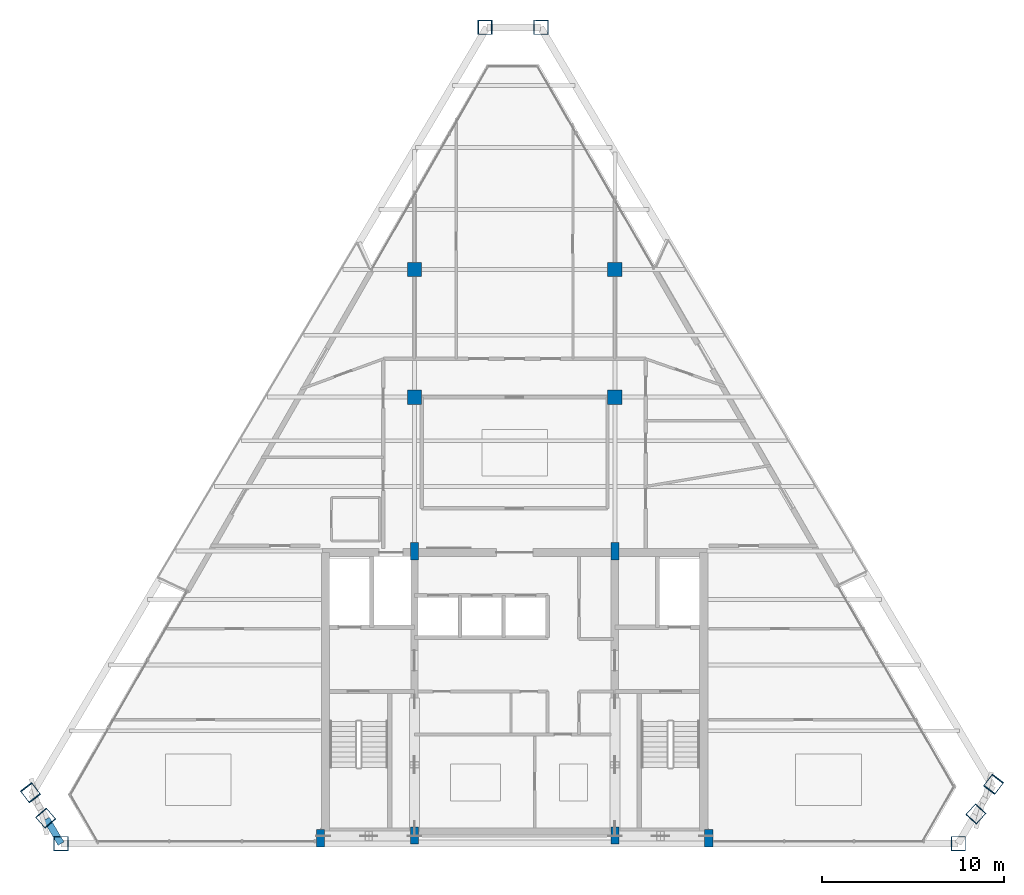
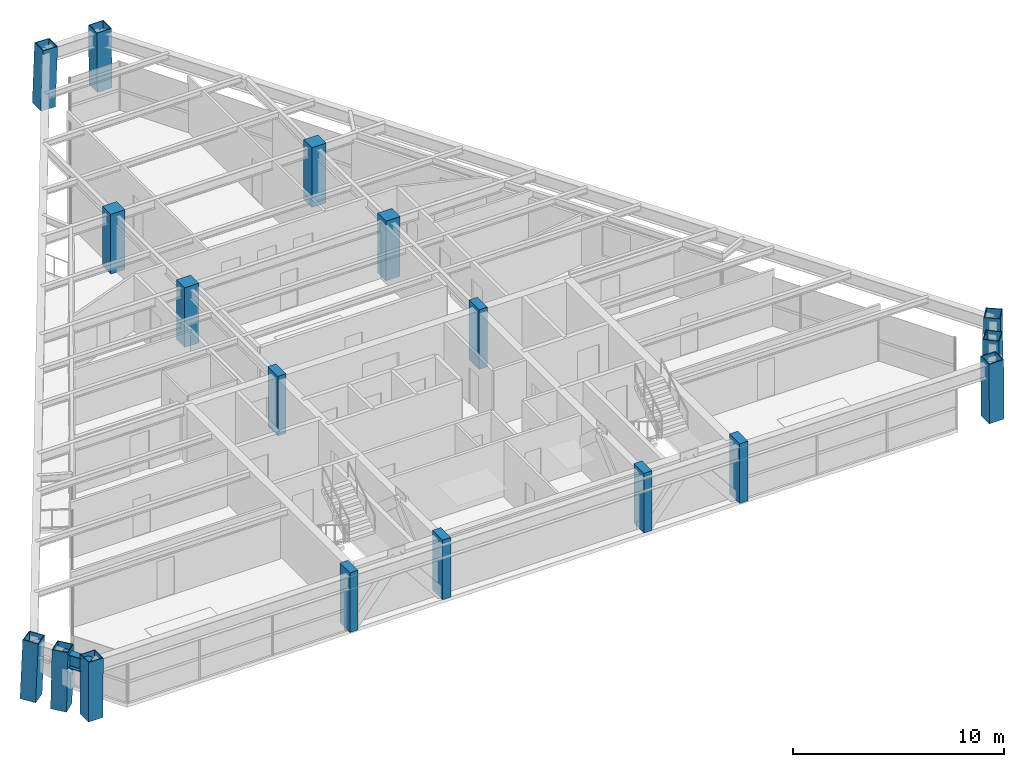
# One storey, part 1 of 13: 18 columns, 1 beam.
"""IFC4 building model written with IfcOpenShell, lengths in metres."""

from ifc_helpers import new_model, si_unit, direction, frame, origin, origin_2d, place, context, subcontext, project, spatial, rectangle, hollow_rectangle, i_section, extrude, source, transform, mapped, material, material_profile, profile_set, type_object, element, save


model = new_model("IFC4")

# Units and contexts
model_context = context("Model", 3, precision=1e-05, world=origin(), true_north=direction((0.0, 1.0)))
body_context = subcontext(model_context, "Body", "Model", "MODEL_VIEW")
ifc_project = project(units=[si_unit("LENGTHUNIT", "METRE"), si_unit("AREAUNIT", "SQUARE_METRE"), si_unit("VOLUMEUNIT", "CUBIC_METRE"), si_unit("PLANEANGLEUNIT", "RADIAN"), si_unit("MASSUNIT", "GRAM", prefix="KILO")], contexts=[model_context])

# Site, building, storey
site_placement = place(None, origin())
site = spatial("IfcSite", under=ifc_project, at=site_placement, CompositionType="ELEMENT")
building_placement = place(site_placement, origin())
building = spatial("IfcBuilding", under=site, at=building_placement, Name="Varnakhor Terracotta Tower", CompositionType="ELEMENT")
storey_placement = place(building_placement, frame((0.0, 0.0, 293.699951171875)))
storey = spatial("IfcBuildingStorey", under=building, at=storey_placement, Name="L77", CompositionType="ELEMENT", Elevation=293.699951171875)

# Columns
ifc_material_1 = material(Name="Concrete C50/60", Category="concrete")
ifc_material_profile_1 = material_profile(ifc_material_1, rectangle(XDim=0.449951171875, YDim=0.949951171875, at=origin_2d()), Name="RC PILASTER 950x450")
ifc_profile_set_1 = profile_set([ifc_material_profile_1], Name="Concrete C50/60")
column_type_1 = type_object("IfcColumnType", Name="COL-PIL-950x450", PredefinedType="PILASTER", material=ifc_profile_set_1)
shared_shape_1 = source(origin(), body_context, "Body", "SweptSolid", [
    extrude(rectangle(XDim=0.449951171875, YDim=0.949951171875, at=origin_2d()), origin(), (0.0, 0.0, 1.0), 3.449951171875),
])
for number, where, z_axis, x_axis, name in (
    (1, (-10.64990234375, 0.300048828125, 0.0), (0.0, 0.0, 1.0), (1.0, 0.0, 0.0), "L77 Core Pilaster CP1"),
    (2, (-5.5, 0.449951171875, 0.0), (0.0, 0.0, 1.0), (1.0, 0.0, 0.0), "L77 Core Pilaster CP2"),
    (3, (5.5, 0.449951171875, 0.0), (0.0, 0.0, 1.0), (1.0, 0.0, 0.0), "L77 Core Pilaster CP3"),
    (4, (10.64990234375, 0.300048828125, 0.0), (0.0, 0.0, 1.0), (1.0, 0.0, 0.0), "L77 Core Pilaster CP4"),
    (5, (-5.5, 16.050048828125, 0.0), (0.0, 0.0, 1.0), (1.0, 0.0, 0.0), "L77 Core Pilaster CP5"),
    (6, (5.5, 16.050048828125, 0.0), (0.0, 0.0, 1.0), (1.0, 0.0, 0.0), "L77 Core Pilaster CP6"),
):
    element("IfcColumn", number, at=place(storey_placement, frame(where, z_axis=z_axis, x_axis=x_axis)), inside=storey, type_object=column_type_1, Name=name, PredefinedType="PILASTER", context=body_context, shape_type="MappedRepresentation", body=[
        mapped(shared_shape_1, transform((0.0, 0.0, 0.0), scale=1.0)),
    ])
ifc_material_profile_2 = material_profile(ifc_material_1, rectangle(XDim=0.780029296875, YDim=0.780029296875, at=origin_2d()), Name="RC 780x780")
ifc_profile_set_2 = profile_set([ifc_material_profile_2], Name="Concrete C50/60")
column_type_2 = type_object("IfcColumnType", Name="COL-RC-780", PredefinedType="COLUMN", material=ifc_profile_set_2)
shared_shape_2 = source(origin(), body_context, "Body", "SweptSolid", [
    extrude(rectangle(XDim=0.780029296875, YDim=0.780029296875, at=origin_2d()), origin(), (0.0, 0.0, 1.0), 3.449951171875),
])
for number, where, z_axis, x_axis, name in (
    (7, (-5.5, 24.5, 0.0), (0.0, 0.0, 1.0), (1.0, 0.0, 0.0), "L77 Interior Tower Column IC1"),
    (8, (5.5, 24.5, 0.0), (0.0, 0.0, 1.0), (1.0, 0.0, 0.0), "L77 Interior Tower Column IC2"),
    (9, (-5.5, 31.5, 0.0), (0.0, 0.0, 1.0), (1.0, 0.0, 0.0), "L77 Interior Tower Column IC3"),
    (10, (5.5, 31.5, 0.0), (0.0, 0.0, 1.0), (1.0, 0.0, 0.0), "L77 Interior Tower Column IC4"),
):
    element("IfcColumn", number, at=place(storey_placement, frame(where, z_axis=z_axis, x_axis=x_axis)), inside=storey, type_object=column_type_2, Name=name, PredefinedType="COLUMN", context=body_context, shape_type="MappedRepresentation", body=[
        mapped(shared_shape_2, transform((0.0, 0.0, 0.0), scale=1.0)),
    ])
ifc_material_2 = material(Name="Steel S355", Category="steel")
ifc_material_profile_3 = material_profile(ifc_material_2, hollow_rectangle(XDim=0.800048828125, YDim=0.800048828125, WallThickness=0.0400390625, at=origin_2d()), Name="BOX 800x800x40")
ifc_profile_set_3 = profile_set([ifc_material_profile_3], Name="Steel S355")
column_type_3 = type_object("IfcColumnType", Name="COL-MEGA-800", PredefinedType="COLUMN", material=ifc_profile_set_3)
shared_shape_3 = source(origin(), body_context, "Body", "SweptSolid", [
    extrude(hollow_rectangle(XDim=0.800048828125, YDim=0.800048828125, WallThickness=0.0400390625, at=origin_2d()), origin(), (0.0, 0.0, 1.0), 3.44189453125),
])
for number, where, z_axis, x_axis, name in (
    (11, (25.32177734375, 1.63720703125, 0.00439453125), (-0.013902679063, -0.015250387748, 0.99978704792), (0.739006174576, -0.673698652172, 0.0), "L77 Perimeter Mega-Column M3"),
    (12, (-25.740234375, 1.406982421875, 0.00439453125), (0.013831591838, -0.016030460285, 0.999775830579), (0.757124238774, 0.653270913986, 0.0), "L77 Perimeter Mega-Column M8"),
):
    element("IfcColumn", number, at=place(storey_placement, frame(where, z_axis=z_axis, x_axis=x_axis)), inside=storey, type_object=column_type_3, Name=name, PredefinedType="COLUMN", context=body_context, shape_type="MappedRepresentation", body=[
        mapped(shared_shape_3, transform((0.0, 0.0, 0.0), scale=1.0)),
    ])
shared_shape_4 = source(origin(), body_context, "Body", "SweptSolid", [
    extrude(hollow_rectangle(XDim=0.800048828125, YDim=0.800048828125, WallThickness=0.0400390625, at=origin_2d()), origin(), (0.0, 0.0, 1.0), 3.443359375),
])
column_1_placement = place(storey_placement, frame((-1.6455078125, 44.79296875, 0.00439453125), z_axis=(0.036017763947, 7.090111e-05, 0.999351147322), x_axis=(-0.001968500123, 0.999998062502, 0.0)))
element("IfcColumn", 13, at=column_1_placement, inside=storey, type_object=column_type_3, Name="L77 Perimeter Mega-Column M6", PredefinedType="COLUMN", context=body_context, shape_type="MappedRepresentation", body=[
    mapped(shared_shape_4, transform((0.0, 0.0, 0.0), scale=1.0)),
])
shared_shape_5 = source(origin(), body_context, "Body", "SweptSolid", [
    extrude(hollow_rectangle(XDim=0.800048828125, YDim=0.800048828125, WallThickness=0.0400390625, at=origin_2d()), origin(), (0.0, 0.0, 1.0), 3.441162109375),
])
for number, where, z_axis, x_axis, name in (
    (14, (-24.898193359375, 0.0, 0.00439453125), (0.003050713012, 0.0, 0.999995346564), (0.0, 1.0, 0.0), "L77 Perimeter Mega-Column M1"),
    (15, (24.34912109375, 0.0, 0.00439453125), (-0.004540570433, 0.0, 0.999989691557), (0.0, -1.0, 0.0), "L77 Perimeter Mega-Column M2"),
    (16, (1.451171875, 44.79296875, 0.00439453125), (-0.008016769669, 7.0944864e-05, 0.999967862669), (-0.008849211017, -0.999960844966, 0.0), "L77 Perimeter Mega-Column M5"),
):
    element("IfcColumn", number, at=place(storey_placement, frame(where, z_axis=z_axis, x_axis=x_axis)), inside=storey, type_object=column_type_3, Name=name, PredefinedType="COLUMN", context=body_context, shape_type="MappedRepresentation", body=[
        mapped(shared_shape_5, transform((0.0, 0.0, 0.0), scale=1.0)),
    ])
shared_shape_6 = source(origin(), body_context, "Body", "SweptSolid", [
    extrude(hollow_rectangle(XDim=0.800048828125, YDim=0.800048828125, WallThickness=0.0400390625, at=origin_2d()), origin(), (0.0, 0.0, 1.0), 3.443603515625),
])
column_2_placement = place(storey_placement, frame((26.294189453125, 3.2744140625, 0.00439453125), z_axis=(-0.023253502194, -0.030555669042, 0.99926254094), x_axis=(0.795770664354, -0.605598092594, 0.0)))
element("IfcColumn", 17, at=column_2_placement, inside=storey, type_object=column_type_3, Name="L77 Perimeter Mega-Column M4", PredefinedType="COLUMN", context=body_context, shape_type="MappedRepresentation", body=[
    mapped(shared_shape_6, transform((0.0, 0.0, 0.0), scale=1.0)),
])
shared_shape_7 = source(origin(), body_context, "Body", "SweptSolid", [
    extrude(hollow_rectangle(XDim=0.800048828125, YDim=0.800048828125, WallThickness=0.0400390625, at=origin_2d()), origin(), (0.0, 0.0, 1.0), 3.444091796875),
])
column_3_placement = place(storey_placement, frame((-26.58203125, 2.81396484375, 0.00439453125), z_axis=(0.024527662541, -0.032112806738, 0.999183247164), x_axis=(0.79470626766, 0.606994191193, 0.0)))
element("IfcColumn", 18, at=column_3_placement, inside=storey, type_object=column_type_3, Name="L77 Perimeter Mega-Column M7", PredefinedType="COLUMN", context=body_context, shape_type="MappedRepresentation", body=[
    mapped(shared_shape_7, transform((0.0, 0.0, 0.0), scale=1.0)),
])

# Beam
ifc_material_profile_4 = material_profile(ifc_material_2, i_section(OverallWidth=0.381103515625, OverallDepth=0.77294921875, WebThickness=0.01708984375, FlangeThickness=0.027099609375, FilletRadius=0.01806640625, at=origin_2d()), Name="W30X173")
ifc_profile_set_4 = profile_set([ifc_material_profile_4], Name="Steel S355")
beam_type = type_object("IfcBeamType", Name="BM-W30X173", PredefinedType="BEAM", material=ifc_profile_set_4)
shared_shape_8 = source(origin(), body_context, "Body", "SweptSolid", [
    extrude(i_section(OverallWidth=0.381103515625, OverallDepth=0.77294921875, WebThickness=0.01708984375, FlangeThickness=0.027099609375, FilletRadius=0.01806640625, at=origin_2d()), origin(), (0.0, 0.0, 1.0), 1.5732421875),
])
beam_placement = place(storey_placement, frame((-25.692626953125, 1.351806640625, 2.853515625), z_axis=(0.511617530271, -0.859213304552, 0.0), x_axis=(0.859213304552, 0.511617530271, 0.0)))
element("IfcBeam", 19, at=beam_placement, inside=storey, type_object=beam_type, Name="L77 Perimeter Spandrel 8", PredefinedType="BEAM", context=body_context, shape_type="MappedRepresentation", body=[
    mapped(shared_shape_8, transform((0.0, 0.0, 0.0), scale=1.0)),
])

save(model, "model.ifc")
